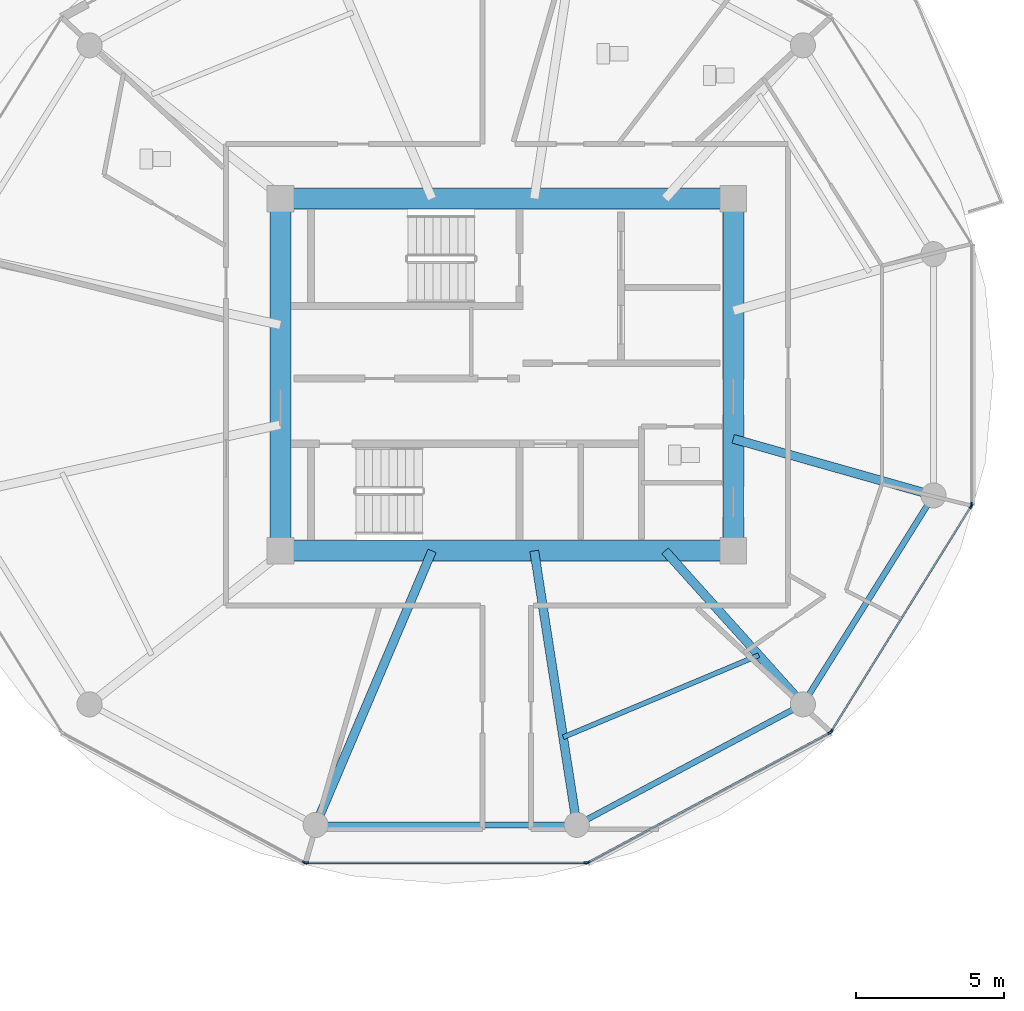
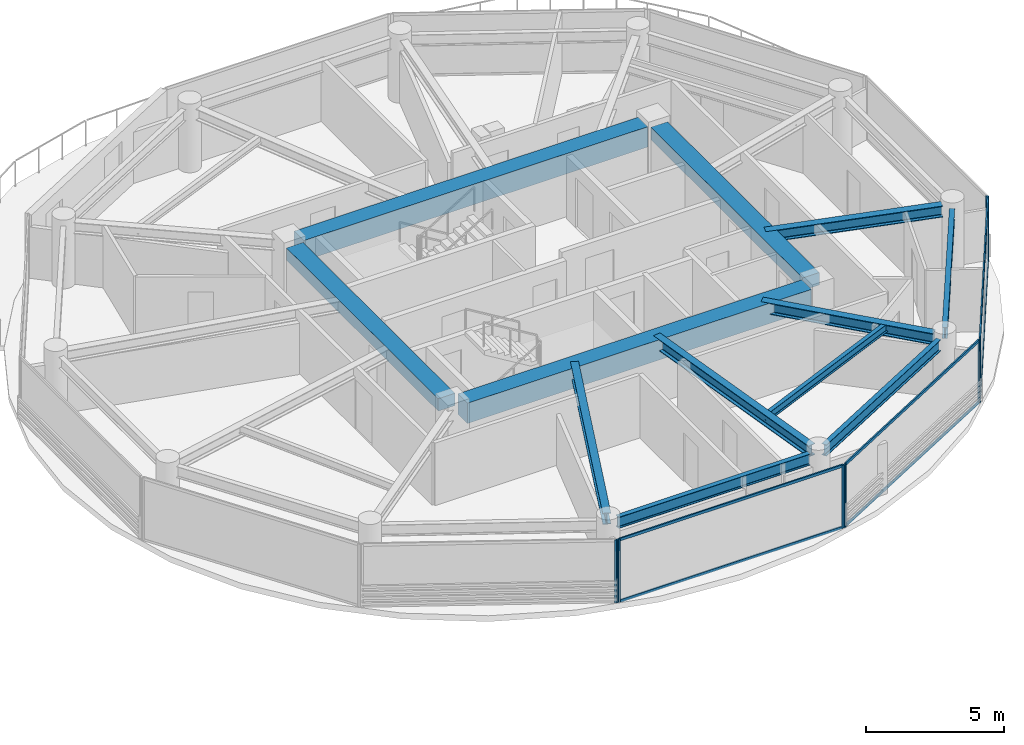
# One storey, part 10 of 24: 14 members, 12 beams, 5 elements without a shape of their own.
"""IFC4 building model written with IfcOpenShell, lengths in metres."""

import ifcopenshell
import ifcopenshell.guid

model = None  # the IFC model being written
_history = None  # IfcOwnerHistory: only IFC2X3 demands one
_inside = {}  # id of a spatial element -> (the spatial element, [elements in it])
_under = {}  # id of a project, library or spatial element -> (it, [spatial elements below it])
_declared = {}  # id of a project -> (the project, [libraries it declares])
_typed = {}  # id of a type object -> (the type object, [elements of that type])
_made_of = {}  # id of a material, layer set ... -> (it, [elements and type objects made of it])


def new_model(schema):
    """Start an empty IFC model of exactly this schema.

    Asked for "IFC4X3", IfcOpenShell would pick the latest addendum, in which some entities
    have other attributes; the version numbers below select the first issue.
    IFC2X3 requires an IfcOwnerHistory on every rooted entity: one is made here for all.
    """
    global model, _history
    if schema == "IFC4X3":
        model = ifcopenshell.file(schema_version=(4, 3, 0, 0))
    else:
        model = ifcopenshell.file(schema=schema)
    _inside.clear()
    _under.clear()
    _declared.clear()
    _typed.clear()
    _made_of.clear()
    _history = None
    if model.schema == "IFC2X3":
        org = make("IfcOrganization", Name="unknown")
        user = make(
            "IfcPersonAndOrganization",
            ThePerson=make("IfcPerson", FamilyName="unknown"),
            TheOrganization=org,
        )
        app = make(
            "IfcApplication",
            ApplicationDeveloper=org,
            Version="unknown",
            ApplicationFullName="unknown",
            ApplicationIdentifier="unknown",
        )
        _history = make(
            "IfcOwnerHistory",
            OwningUser=user,
            OwningApplication=app,
            ChangeAction="ADDED",
            CreationDate=0,
        )
    return model


def make(cls, **values):
    """One entity of the class cls with the attributes given. An attribute that is None is left unset."""
    return model.create_entity(
        cls, **{name: value for name, value in values.items() if value is not None}
    )


def rooted(cls, **values):
    """An entity with a GlobalId (a new one), such as an element, a storey or a relation."""
    return make(cls, GlobalId=ifcopenshell.guid.new(), OwnerHistory=_history, **values)


def si_unit(unit_type, name, prefix=None):
    """IfcSIUnit, for example si_unit("LENGTHUNIT", "METRE", prefix="MILLI")."""
    return make("IfcSIUnit", UnitType=unit_type, Prefix=prefix, Name=name)


def assignment(units):
    """IfcUnitAssignment: the units of a project."""
    return None if units is None else make("IfcUnitAssignment", Units=units)


def point(xyz):
    """IfcCartesianPoint."""
    return None if xyz is None else make("IfcCartesianPoint", Coordinates=xyz)


def direction(xyz):
    """IfcDirection."""
    return None if xyz is None else make("IfcDirection", DirectionRatios=xyz)


def frame(location, z_axis=None, x_axis=None):
    """IfcAxis2Placement3D, a coordinate frame: its origin and axes. An axis left out is left unset."""
    return make(
        "IfcAxis2Placement3D",
        Location=point(location),
        Axis=direction(z_axis),
        RefDirection=direction(x_axis),
    )


def frame_2d(location, x_axis=None):
    """IfcAxis2Placement2D, a coordinate frame in the plane: its origin and x axis."""
    return make(
        "IfcAxis2Placement2D", Location=point(location), RefDirection=direction(x_axis)
    )


def origin():
    """The frame at (0, 0, 0) with its axes left unset."""
    return frame((0.0, 0.0, 0.0))


def origin_2d():
    """The frame at (0, 0) in the plane with its x axis left unset."""
    return frame_2d((0.0, 0.0))


def place(relative_to, where):
    """IfcLocalPlacement: puts the frame where relative to a parent placement (None: the world)."""
    return make(
        "IfcLocalPlacement", PlacementRelTo=relative_to, RelativePlacement=where
    )


def context(
    kind, dimensions, precision=None, world=None, true_north=None, identifier=None
):
    """IfcGeometricRepresentationContext, for example the 3D "Model" context."""
    return make(
        "IfcGeometricRepresentationContext",
        ContextIdentifier=identifier,
        ContextType=kind,
        CoordinateSpaceDimension=dimensions,
        Precision=precision,
        WorldCoordinateSystem=world,
        TrueNorth=true_north,
    )


def subcontext(parent, identifier, kind, view, scale=None):
    """IfcGeometricRepresentationSubContext, for example "Body" below "Model"."""
    return make(
        "IfcGeometricRepresentationSubContext",
        ContextIdentifier=identifier,
        ContextType=kind,
        ParentContext=parent,
        TargetScale=scale,
        TargetView=view,
    )


def project(units=None, contexts=None):
    """IfcProject with its units and contexts."""
    return rooted(
        "IfcProject",
        Name="project",
        RepresentationContexts=contexts,
        UnitsInContext=assignment(units),
    )


def spatial(cls, under=None, at=None, **own):
    """A site, building, storey or space (cls), placed at a placement, below another one or the project."""
    s = rooted(cls, ObjectPlacement=at, **own)
    if under is not None:
        _under.setdefault(under.id(), (under, []))[1].append(s)
    return s


def profile(cls, at=None, kind="AREA", **sizes):
    """A parametric profile (cls). Its sizes go by their IFC names, for example OverallWidth=200.0."""
    return make(cls, ProfileType=kind, Position=at, **sizes)


def rectangle(**sizes):
    """IfcRectangleProfileDef."""
    return profile("IfcRectangleProfileDef", **sizes)


def i_section(**sizes):
    """IfcIShapeProfileDef."""
    return profile("IfcIShapeProfileDef", **sizes)


def extrude(swept, where, along, depth):
    """IfcExtrudedAreaSolid: the profile swept, set in the frame where, extruded along a direction by depth."""
    return make(
        "IfcExtrudedAreaSolid",
        SweptArea=swept,
        Position=where,
        ExtrudedDirection=direction(along),
        Depth=depth,
    )


def shape(context_of_items, identifier, shape_type, items):
    """IfcShapeRepresentation: the items that make up one representation, for example the "Body"."""
    return make(
        "IfcShapeRepresentation",
        ContextOfItems=context_of_items,
        RepresentationIdentifier=identifier,
        RepresentationType=shape_type,
        Items=items,
    )


def source(mapping_origin, context_of_items, identifier, shape_type, items):
    """IfcRepresentationMap: a shape defined once, which mapped items show again and again."""
    return make(
        "IfcRepresentationMap",
        MappingOrigin=mapping_origin,
        MappedRepresentation=shape(context_of_items, identifier, shape_type, items),
    )


def transform(
    local_origin,
    x_axis=None,
    y_axis=None,
    z_axis=None,
    scale=None,
    scale2=None,
    scale3=None,
    uniform=True,
):
    """IfcCartesianTransformationOperator3D, or its non-uniform kind. x_axis, y_axis, z_axis: its Axis1, 2, 3."""
    if uniform:
        return make(
            "IfcCartesianTransformationOperator3D",
            Axis1=direction(x_axis),
            Axis2=direction(y_axis),
            LocalOrigin=point(local_origin),
            Scale=scale,
            Axis3=direction(z_axis),
        )
    return make(
        "IfcCartesianTransformationOperator3DnonUniform",
        Axis1=direction(x_axis),
        Axis2=direction(y_axis),
        LocalOrigin=point(local_origin),
        Scale=scale,
        Axis3=direction(z_axis),
        Scale2=scale2,
        Scale3=scale3,
    )


def mapped(mapping_source, mapping_target):
    """IfcMappedItem: shows the shape of a source again, moved by a transform."""
    return make(
        "IfcMappedItem", MappingSource=mapping_source, MappingTarget=mapping_target
    )


def material(Name=None, Category=None):
    """IfcMaterial."""
    return make("IfcMaterial", Name=Name, Category=Category)


def layer(
    of_material, thickness, ventilated=None, Name=None, Category=None, Priority=None
):
    """IfcMaterialLayer: one layer of a wall or slab, of a material (None: an air gap)."""
    return make(
        "IfcMaterialLayer",
        Material=of_material,
        LayerThickness=thickness,
        IsVentilated=ventilated,
        Name=Name,
        Category=Category,
        Priority=Priority,
    )


def layer_set(layers, Name=None):
    """IfcMaterialLayerSet."""
    return make("IfcMaterialLayerSet", MaterialLayers=layers, LayerSetName=Name)


def material_profile(
    of_material, cross_section, Name=None, Category=None, Priority=None
):
    """IfcMaterialProfile: a cross section and its material."""
    return make(
        "IfcMaterialProfile",
        Name=Name,
        Material=of_material,
        Profile=cross_section,
        Priority=Priority,
        Category=Category,
    )


def profile_set(profiles, Name=None, composite=None):
    """IfcMaterialProfileSet."""
    return make(
        "IfcMaterialProfileSet",
        Name=Name,
        MaterialProfiles=profiles,
        CompositeProfile=composite,
    )


def made_of(thing, what):
    """Note that an element or type object is made of a material, layer set ...; save() writes the relation."""
    if what is not None:
        _made_of.setdefault(what.id(), (what, []))[1].append(thing)
    return thing


def type_object(cls, material=None, **own):
    """A type object (cls), such as IfcWallType, which elements share."""
    return made_of(rooted(cls, **own), material)


def type_shapes(of_type, sources):
    """Give a type object the sources (RepresentationMaps) that its elements show as mapped items."""
    of_type.RepresentationMaps = sources


def element(
    cls,
    number,
    at=None,
    inside=None,
    cuts=None,
    type_object=None,
    material=None,
    context=None,
    identifier="Body",
    shape_type=None,
    held_by="IfcProductDefinitionShape",
    body=None,
    shapes=None,
    **own,
):
    """One element of the class cls, such as IfcWall. Its Tag is "e" and its number.

    at: its placement. inside: the storey or other place that contains it. cuts: it is an
    opening in that element (IfcRelVoidsElement). A single representation is given by context,
    identifier, shape_type and body (its items); several are given by shapes. held_by: the class
    of the entity that holds the representations. save() writes the other relations.
    """
    e = rooted(cls, Tag="e%d" % number, ObjectPlacement=at, **own)
    if body is not None:
        shapes = [shape(context, identifier, shape_type, body)]
    if shapes is not None:
        e.Representation = make(held_by, Representations=shapes)
    if inside is not None:
        _inside.setdefault(inside.id(), (inside, []))[1].append(e)
    if cuts is not None:
        rooted(
            "IfcRelVoidsElement", RelatingBuildingElement=cuts, RelatedOpeningElement=e
        )
    if type_object is not None:
        _typed.setdefault(type_object.id(), (type_object, []))[1].append(e)
    return made_of(e, material)


def aggregate(whole, parts):
    """IfcRelAggregates: a whole, such as a stair, and the parts it consists of."""
    return rooted("IfcRelAggregates", RelatingObject=whole, RelatedObjects=parts)


def save(model, path):
    """Write the relations noted so far, then the file.

    IfcRelAggregates (storeys below a building ...), IfcRelContainedInSpatialStructure (elements
    in a storey), IfcRelDefinesByType, IfcRelAssociatesMaterial and IfcRelDeclares: one each for
    every whole, place, type object, material and project.
    """
    for whole, parts in _under.values():
        aggregate(whole, parts)
    for where, things in _inside.values():
        rooted(
            "IfcRelContainedInSpatialStructure",
            RelatedElements=things,
            RelatingStructure=where,
        )
    for kind, things in _typed.values():
        rooted("IfcRelDefinesByType", RelatedObjects=things, RelatingType=kind)
    for what, things in _made_of.values():
        rooted("IfcRelAssociatesMaterial", RelatedObjects=things, RelatingMaterial=what)
    for by, libraries in _declared.values():
        rooted("IfcRelDeclares", RelatingContext=by, RelatedDefinitions=libraries)
    model.write(path)


model = new_model("IFC4")

# Units and contexts
model_context = context("Model", 3, precision=1e-05, world=origin(), true_north=direction((0.0, 1.0)))
body_context = subcontext(model_context, "Body", "Model", "MODEL_VIEW")
ifc_project = project(units=[si_unit("LENGTHUNIT", "METRE"), si_unit("AREAUNIT", "SQUARE_METRE"), si_unit("VOLUMEUNIT", "CUBIC_METRE"), si_unit("PLANEANGLEUNIT", "RADIAN"), si_unit("MASSUNIT", "GRAM", prefix="KILO")], contexts=[model_context])

# Site, building, storey
site_placement = place(None, origin())
site = spatial("IfcSite", under=ifc_project, at=site_placement, CompositionType="ELEMENT")
building_placement = place(site_placement, origin())
building = spatial("IfcBuilding", under=site, at=building_placement, Name="Norrkilde Senior Care Towers", CompositionType="ELEMENT")
storey_placement = place(building_placement, frame((0.0, 0.0, 114.550048828125)))
storey = spatial("IfcBuildingStorey", under=building, at=storey_placement, Name="L35", CompositionType="ELEMENT", Elevation=114.550048828125)

# Beams
ifc_material_1 = material(Name="Concrete C60/75", Category="concrete")
ifc_material_profile_1 = material_profile(ifc_material_1, rectangle(XDim=0.699951171875, YDim=0.89990234375, at=origin_2d()), Name="RC BM 700x900")
ifc_profile_set_1 = profile_set([ifc_material_profile_1], Name="Concrete C60/75")
beam_type_1 = type_object("IfcBeamType", Name="Core Coupling Girder 700x900", PredefinedType="USERDEFINED", material=ifc_profile_set_1)
shared_shape_1 = source(origin(), body_context, "Body", "SweptSolid", [
    extrude(rectangle(XDim=0.699951171875, YDim=0.89990234375, at=origin_2d()), origin(), (0.0, 0.0, 1.0), 14.43994140625),
])
type_shapes(beam_type_1, [shared_shape_1])
for number, where, z_axis, x_axis, name in (
    (1, (20.780029296875, 5.949951171875, 2.33984375), (1.0, 0.0, 0.0), (0.0, 1.0, 0.0), "L35 Core E N Coupling Girder"),
    (2, (20.780029296875, -5.949951171875, 2.33984375), (1.0, 0.0, 0.0), (0.0, 1.0, 0.0), "L35 Core E S Coupling Girder"),
):
    element("IfcBeam", number, at=place(storey_placement, frame(where, z_axis=z_axis, x_axis=x_axis)), inside=storey, type_object=beam_type_1, Name=name, ObjectType="GIRDER", PredefinedType="USERDEFINED", context=body_context, shape_type="MappedRepresentation", body=[
        mapped(shared_shape_1, transform((0.0, 0.0, 0.0), x_axis=(1.0, 0.0, 0.0), y_axis=(0.0, 1.0, 0.0), z_axis=(0.0, 0.0, 1.0), scale=1.0)),
    ])
ifc_material_profile_2 = material_profile(ifc_material_1, rectangle(XDim=0.699951171875, YDim=0.550048828125, at=origin_2d()), Name="RC BM 700x550")
ifc_profile_set_2 = profile_set([ifc_material_profile_2], Name="Concrete C60/75")
beam_type_2 = type_object("IfcBeamType", Name="Core Portal Coupling Beam 700x550", PredefinedType="USERDEFINED", material=ifc_profile_set_2)
shared_shape_2 = source(origin(), body_context, "Body", "SweptSolid", [
    extrude(rectangle(XDim=0.699951171875, YDim=0.550048828125, at=origin_2d()), origin(), (0.0, 0.0, 1.0), 11.0400390625),
])
type_shapes(beam_type_2, [shared_shape_2])
for number, where, z_axis, x_axis, name in (
    (3, (20.35009765625, -5.52001953125, 2.514892578125), (0.0, 1.0, 0.0), (-1.0, 0.0, 0.0), "L35 Core E W Coupling Girder"),
    (4, (35.64990234375, -5.52001953125, 2.514892578125), (0.0, 1.0, 0.0), (-1.0, 0.0, 0.0), "L35 Core E E Coupling Girder"),
):
    element("IfcBeam", number, at=place(storey_placement, frame(where, z_axis=z_axis, x_axis=x_axis)), inside=storey, type_object=beam_type_2, Name=name, ObjectType="GIRDER", PredefinedType="USERDEFINED", context=body_context, shape_type="MappedRepresentation", body=[
        mapped(shared_shape_2, transform((0.0, 0.0, 0.0), x_axis=(1.0, 0.0, 0.0), y_axis=(0.0, 1.0, 0.0), z_axis=(0.0, 0.0, 1.0), scale=1.0)),
    ])
ifc_material_2 = material(Name="Steel S355", Category="steel")
ifc_material_profile_3 = material_profile(ifc_material_2, i_section(OverallWidth=0.199951171875, OverallDepth=0.5, WebThickness=0.01025390625, FlangeThickness=0.01611328125, FilletRadius=0.02099609375, at=origin_2d()), Name="IPE 500")
ifc_profile_set_3 = profile_set([ifc_material_profile_3], Name="Steel S355")
beam_type_3 = type_object("IfcBeamType", Name="Perimeter Ring Spandrel Z2 IPE500", PredefinedType="SPANDREL", material=ifc_profile_set_3)
shared_shape_3 = source(origin(), body_context, "Body", "SweptSolid", [
    extrude(i_section(OverallWidth=0.199951171875, OverallDepth=0.5, WebThickness=0.01025390625, FlangeThickness=0.01611328125, FilletRadius=0.02099609375, at=origin_2d()), origin(), (0.0, 0.0, 1.0), 7.892333984375),
])
beam_1_placement = place(storey_placement, frame((30.70263671875, -15.0322265625, 2.5400390625), z_axis=(0.882350372282, 0.47059305194, 0.0), x_axis=(-0.47059305194, 0.882350372282, 0.0)))
element("IfcBeam", 5, at=beam_1_placement, inside=storey, type_object=beam_type_3, Name="L35 Drum E Perimeter Spandrel 10", PredefinedType="SPANDREL", context=body_context, shape_type="MappedRepresentation", body=[
    mapped(shared_shape_3, transform((0.0, 0.0, 0.0), x_axis=(1.0, 0.0, 0.0), y_axis=(0.0, 1.0, 0.0), z_axis=(0.0, 0.0, 1.0), scale=1.0)),
])
shared_shape_4 = source(origin(), body_context, "Body", "SweptSolid", [
    extrude(i_section(OverallWidth=0.199951171875, OverallDepth=0.5, WebThickness=0.01025390625, FlangeThickness=0.01611328125, FilletRadius=0.02099609375, at=origin_2d()), origin(), (0.0, 0.0, 1.0), 8.0556640625),
])
beam_2_placement = place(storey_placement, frame((21.922119140625, -15.21337890625, 2.5400390625), z_axis=(1.0, 0.0, 0.0), x_axis=(0.0, 1.0, 0.0)))
element("IfcBeam", 6, at=beam_2_placement, inside=storey, type_object=beam_type_3, Name="L35 Drum E Perimeter Spandrel 09", PredefinedType="SPANDREL", context=body_context, shape_type="MappedRepresentation", body=[
    mapped(shared_shape_4, transform((0.0, 0.0, 0.0), x_axis=(1.0, 0.0, 0.0), y_axis=(0.0, 1.0, 0.0), z_axis=(0.0, 0.0, 1.0), scale=1.0)),
])
ifc_material_profile_4 = material_profile(ifc_material_2, i_section(OverallWidth=0.300048828125, OverallDepth=0.5, WebThickness=0.014404296875, FlangeThickness=0.028076171875, FilletRadius=0.027099609375, at=origin_2d()), Name="HEB 500")
ifc_profile_set_4 = profile_set([ifc_material_profile_4], Name="Steel S355")
beam_type_4 = type_object("IfcBeamType", Name="Radial Floor Beam Z2 HEB500", PredefinedType="BEAM", material=ifc_profile_set_4)
shared_shape_5 = source(origin(), body_context, "Body", "SweptSolid", [
    extrude(i_section(OverallWidth=0.300048828125, OverallDepth=0.5, WebThickness=0.014404296875, FlangeThickness=0.028076171875, FilletRadius=0.027099609375, at=origin_2d()), origin(), (0.0, 0.0, 1.0), 9.679443359375),
])
beam_3_placement = place(storey_placement, frame((25.472412109375, -5.949951171875, 2.5400390625), z_axis=(-0.390998033479, -0.920391513333, 0.0), x_axis=(0.920391513333, -0.390998033479, 0.0)))
element("IfcBeam", 7, at=beam_3_placement, inside=storey, type_object=beam_type_4, Name="L35 Drum E Radial Floor Beam 09", PredefinedType="BEAM", context=body_context, shape_type="MappedRepresentation", body=[
    mapped(shared_shape_5, transform((0.0, 0.0, 0.0), x_axis=(1.0, 0.0, 0.0), y_axis=(0.0, 1.0, 0.0), z_axis=(0.0, 0.0, 1.0), scale=1.0)),
])
shared_shape_6 = source(origin(), body_context, "Body", "SweptSolid", [
    extrude(i_section(OverallWidth=0.300048828125, OverallDepth=0.5, WebThickness=0.014404296875, FlangeThickness=0.028076171875, FilletRadius=0.027099609375, at=origin_2d()), origin(), (0.0, 0.0, 1.0), 8.989501953125),
])
beam_4_placement = place(storey_placement, frame((28.924072265625, -5.949951171875, 2.5400390625), z_axis=(0.153471298636, -0.988153105796, 0.0), x_axis=(0.988153105796, 0.153471298636, 0.0)))
element("IfcBeam", 8, at=beam_4_placement, inside=storey, type_object=beam_type_4, Name="L35 Drum E Radial Floor Beam 10", PredefinedType="BEAM", context=body_context, shape_type="MappedRepresentation", body=[
    mapped(shared_shape_6, transform((0.0, 0.0, 0.0), x_axis=(1.0, 0.0, 0.0), y_axis=(0.0, 1.0, 0.0), z_axis=(0.0, 0.0, 1.0), scale=1.0)),
])
shared_shape_7 = source(origin(), body_context, "Body", "SweptSolid", [
    extrude(i_section(OverallWidth=0.199951171875, OverallDepth=0.5, WebThickness=0.01025390625, FlangeThickness=0.01611328125, FilletRadius=0.02099609375, at=origin_2d()), origin(), (0.0, 0.0, 1.0), 7.556396484375),
])
type_shapes(beam_type_3, [shared_shape_3, shared_shape_4, shared_shape_7])
beam_5_placement = place(storey_placement, frame((38.210205078125, -10.810546875, 2.5400390625), z_axis=(0.530004748437, 0.847994673706, 0.0), x_axis=(-0.847994673706, 0.530004748437, 0.0)))
element("IfcBeam", 9, at=beam_5_placement, inside=storey, type_object=beam_type_3, Name="L35 Drum E Perimeter Spandrel 11", PredefinedType="SPANDREL", context=body_context, shape_type="MappedRepresentation", body=[
    mapped(shared_shape_7, transform((0.0, 0.0, 0.0), x_axis=(1.0, 0.0, 0.0), y_axis=(0.0, 1.0, 0.0), z_axis=(0.0, 0.0, 1.0), scale=1.0)),
])
shared_shape_8 = source(origin(), body_context, "Body", "SweptSolid", [
    extrude(i_section(OverallWidth=0.300048828125, OverallDepth=0.5, WebThickness=0.014404296875, FlangeThickness=0.028076171875, FilletRadius=0.027099609375, at=origin_2d()), origin(), (0.0, 0.0, 1.0), 6.587890625),
])
beam_6_placement = place(storey_placement, frame((33.345947265625, -5.949951171875, 2.5400390625), z_axis=(0.668315438605, -0.743877997068, 0.0), x_axis=(0.743877997068, 0.668315438605, 0.0)))
element("IfcBeam", 10, at=beam_6_placement, inside=storey, type_object=beam_type_4, Name="L35 Drum E Radial Floor Beam 11", PredefinedType="BEAM", context=body_context, shape_type="MappedRepresentation", body=[
    mapped(shared_shape_8, transform((0.0, 0.0, 0.0), x_axis=(1.0, 0.0, 0.0), y_axis=(0.0, 1.0, 0.0), z_axis=(0.0, 0.0, 1.0), scale=1.0)),
])
shared_shape_9 = source(origin(), body_context, "Body", "SweptSolid", [
    extrude(i_section(OverallWidth=0.300048828125, OverallDepth=0.5, WebThickness=0.014404296875, FlangeThickness=0.028076171875, FilletRadius=0.027099609375, at=origin_2d()), origin(), (0.0, 0.0, 1.0), 6.6494140625),
])
type_shapes(beam_type_4, [shared_shape_5, shared_shape_6, shared_shape_8, shared_shape_9])
beam_7_placement = place(storey_placement, frame((35.64990234375, -2.162841796875, 2.5400390625), z_axis=(0.962289138357, -0.27202870106, 0.0), x_axis=(0.27202870106, 0.962289138357, 0.0)))
element("IfcBeam", 11, at=beam_7_placement, inside=storey, type_object=beam_type_4, Name="L35 Drum E Radial Floor Beam 12", PredefinedType="BEAM", context=body_context, shape_type="MappedRepresentation", body=[
    mapped(shared_shape_9, transform((0.0, 0.0, 0.0), x_axis=(1.0, 0.0, 0.0), y_axis=(0.0, 1.0, 0.0), z_axis=(0.0, 0.0, 1.0), scale=1.0)),
])
ifc_material_profile_5 = material_profile(ifc_material_2, i_section(OverallWidth=0.169921875, OverallDepth=0.360107421875, WebThickness=0.008056640625, FlangeThickness=0.0126953125, FilletRadius=0.01806640625, at=origin_2d()), Name="IPE 360")
ifc_profile_set_5 = profile_set([ifc_material_profile_5], Name="Steel S355")
beam_type_5 = type_object("IfcBeamType", Name="Secondary Floor Joist IPE360", PredefinedType="JOIST", material=ifc_profile_set_5)
shared_shape_10 = source(origin(), body_context, "Body", "SweptSolid", [
    extrude(i_section(OverallWidth=0.169921875, OverallDepth=0.360107421875, WebThickness=0.008056640625, FlangeThickness=0.0126953125, FilletRadius=0.01806640625, at=origin_2d()), origin(), (0.0, 0.0, 1.0), 7.169921875),
])
type_shapes(beam_type_5, [shared_shape_10])
beam_8_placement = place(storey_placement, frame((29.902587890625, -12.2490234375, 2.60986328125), z_axis=(0.922240600393, 0.386616444279, 0.0), x_axis=(-0.386616444279, 0.922240600393, 0.0)))
element("IfcBeam", 12, at=beam_8_placement, inside=storey, type_object=beam_type_5, Name="L35 Drum E Secondary Floor Joist 4", PredefinedType="JOIST", context=body_context, shape_type="MappedRepresentation", body=[
    mapped(shared_shape_10, transform((0.0, 0.0, 0.0), x_axis=(1.0, 0.0, 0.0), y_axis=(0.0, 1.0, 0.0), z_axis=(0.0, 0.0, 1.0), scale=1.0)),
])

# Curtain wall, member
ifc_material_3 = material(Name="Triple Low-E Insulated Glazing", Category="glass")
ifc_layer = layer(ifc_material_3, 0.195068359375)
ifc_layer_set = layer_set([ifc_layer], Name="Triple Low-E Insulated Glazing")
curtain_wall_type = type_object("IfcCurtainWallType", Name="CW3 Zone 2 Assisted Living Curtain Wall", PredefinedType="NOTDEFINED", material=ifc_layer_set)
curtain_wall_1_placement = place(storey_placement, origin())
curtain_wall_1 = element("IfcCurtainWall", 13, at=curtain_wall_1_placement, inside=storey, type_object=curtain_wall_type, Name="L35 Drum E Curtain Wall 07", PredefinedType="NOTDEFINED")
ifc_material_4 = material(Name="Anodised Aluminium", Category="aluminium")
ifc_material_profile_6 = material_profile(ifc_material_4, rectangle(XDim=0.06494140625, YDim=0.159912109375, at=origin_2d()), Name="ALU MULL 65x160")
ifc_profile_set_6 = profile_set([ifc_material_profile_6], Name="Anodised Aluminium")
member_type_1 = type_object("IfcMemberType", Name="Curtain Wall Mullion Z1-Z2 65x160", PredefinedType="MULLION", material=ifc_profile_set_6)
shared_shape_11 = source(origin(), body_context, "Body", "SweptSolid", [
    extrude(rectangle(XDim=0.06494140625, YDim=0.159912109375, at=origin_2d()), origin(), (0.0, 0.0, 1.0), 2.7900390625),
])
type_shapes(member_type_1, [shared_shape_11])
member_1_placement = place(storey_placement, frame((21.164306640625, -16.482666015625, 0.0), z_axis=(0.0, 0.0, 1.0), x_axis=(-0.472769402511, -0.881186184668, 0.0)))
member_1 = element("IfcMember", 14, at=member_1_placement, type_object=member_type_1, Name="CW-3 mullion 1", PredefinedType="MULLION", context=body_context, shape_type="MappedRepresentation", body=[
    mapped(shared_shape_11, transform((0.0, 0.0, 0.0), x_axis=(1.0, 0.0, 0.0), y_axis=(0.0, 1.0, 0.0), z_axis=(0.0, 0.0, 1.0), scale=1.0)),
])
aggregate(curtain_wall_1, [member_1])

# Curtain wall, members
curtain_wall_2_placement = place(storey_placement, origin())
curtain_wall_2 = element("IfcCurtainWall", 15, at=curtain_wall_2_placement, inside=storey, type_object=curtain_wall_type, Name="L35 Drum E Curtain Wall 08", PredefinedType="NOTDEFINED")
member_2_placement = place(storey_placement, frame((30.674560546875, -16.498046875, 0.0), z_axis=(0.0, 0.0, 1.0), x_axis=(0.0, -1.0, 0.0)))
member_2 = element("IfcMember", 16, at=member_2_placement, type_object=member_type_1, Name="CW-3 mullion 1", PredefinedType="MULLION", context=body_context, shape_type="MappedRepresentation", body=[
    mapped(shared_shape_11, transform((0.0, 0.0, 0.0), x_axis=(1.0, 0.0, 0.0), y_axis=(0.0, 1.0, 0.0), z_axis=(0.0, 0.0, 1.0), scale=1.0)),
])
member_3_placement = place(storey_placement, frame((21.225341796875, -16.498046875, 0.0), z_axis=(0.0, 0.0, 1.0), x_axis=(0.0, -1.0, 0.0)))
member_3 = element("IfcMember", 17, at=member_3_placement, type_object=member_type_1, Name="CW-3 mullion 2", PredefinedType="MULLION", context=body_context, shape_type="MappedRepresentation", body=[
    mapped(shared_shape_11, transform((0.0, 0.0, 0.0), x_axis=(1.0, 0.0, 0.0), y_axis=(0.0, 1.0, 0.0), z_axis=(0.0, 0.0, 1.0), scale=1.0)),
])

curtain_wall_3_placement = place(storey_placement, origin())
curtain_wall_3 = element("IfcCurtainWall", 18, at=curtain_wall_3_placement, inside=storey, type_object=curtain_wall_type, Name="L35 Drum E Curtain Wall 09", PredefinedType="NOTDEFINED")
member_4_placement = place(storey_placement, frame((38.91796875, -12.0927734375, 0.0), z_axis=(0.0, 0.0, 1.0), x_axis=(0.472769402511, -0.881186184668, 0.0)))
member_4 = element("IfcMember", 19, at=member_4_placement, type_object=member_type_1, Name="CW-3 mullion 1", PredefinedType="MULLION", context=body_context, shape_type="MappedRepresentation", body=[
    mapped(shared_shape_11, transform((0.0, 0.0, 0.0), x_axis=(1.0, 0.0, 0.0), y_axis=(0.0, 1.0, 0.0), z_axis=(0.0, 0.0, 1.0), scale=1.0)),
])
member_5_placement = place(storey_placement, frame((30.73583984375, -16.482666015625, 0.0), z_axis=(0.0, 0.0, 1.0), x_axis=(0.472769402511, -0.881186184668, 0.0)))
member_5 = element("IfcMember", 20, at=member_5_placement, type_object=member_type_1, Name="CW-3 mullion 2", PredefinedType="MULLION", context=body_context, shape_type="MappedRepresentation", body=[
    mapped(shared_shape_11, transform((0.0, 0.0, 0.0), x_axis=(1.0, 0.0, 0.0), y_axis=(0.0, 1.0, 0.0), z_axis=(0.0, 0.0, 1.0), scale=1.0)),
])

curtain_wall_4_placement = place(storey_placement, origin())
curtain_wall_4 = element("IfcCurtainWall", 21, at=curtain_wall_4_placement, inside=storey, type_object=curtain_wall_type, Name="L35 Drum E Curtain Wall 10", PredefinedType="NOTDEFINED")
member_6_placement = place(storey_placement, frame((43.6865234375, -4.4482421875, 0.0), z_axis=(0.0, 0.0, 1.0), x_axis=(0.849410171862, -0.527733228002, 0.0)))
member_6 = element("IfcMember", 22, at=member_6_placement, type_object=member_type_1, Name="CW-3 mullion 1", PredefinedType="MULLION", context=body_context, shape_type="MappedRepresentation", body=[
    mapped(shared_shape_11, transform((0.0, 0.0, 0.0), x_axis=(1.0, 0.0, 0.0), y_axis=(0.0, 1.0, 0.0), z_axis=(0.0, 0.0, 1.0), scale=1.0)),
])
member_7_placement = place(storey_placement, frame((38.9638671875, -12.0498046875, 0.0), z_axis=(0.0, 0.0, 1.0), x_axis=(0.849410171862, -0.527733228002, 0.0)))
member_7 = element("IfcMember", 23, at=member_7_placement, type_object=member_type_1, Name="CW-3 mullion 2", PredefinedType="MULLION", context=body_context, shape_type="MappedRepresentation", body=[
    mapped(shared_shape_11, transform((0.0, 0.0, 0.0), x_axis=(1.0, 0.0, 0.0), y_axis=(0.0, 1.0, 0.0), z_axis=(0.0, 0.0, 1.0), scale=1.0)),
])

# Curtain wall, member
curtain_wall_5_placement = place(storey_placement, origin())
curtain_wall_5 = element("IfcCurtainWall", 24, at=curtain_wall_5_placement, inside=storey, type_object=curtain_wall_type, Name="L35 Drum E Curtain Wall 11", PredefinedType="NOTDEFINED")
member_8_placement = place(storey_placement, frame((43.70361328125, -4.38818359375, 0.0), z_axis=(0.0, 0.0, 1.0), x_axis=(1.0, 0.0, 0.0)))
member_8 = element("IfcMember", 25, at=member_8_placement, type_object=member_type_1, Name="CW-3 mullion 2", PredefinedType="MULLION", context=body_context, shape_type="MappedRepresentation", body=[
    mapped(shared_shape_11, transform((0.0, 0.0, 0.0), x_axis=(1.0, 0.0, 0.0), y_axis=(0.0, 1.0, 0.0), z_axis=(0.0, 0.0, 1.0), scale=1.0)),
])
aggregate(curtain_wall_5, [member_8])

# Member
ifc_material_profile_7 = material_profile(ifc_material_4, rectangle(XDim=0.06005859375, YDim=0.1201171875, at=origin_2d()), Name="ALU TRAN 60x120")
ifc_profile_set_7 = profile_set([ifc_material_profile_7], Name="Anodised Aluminium")
member_type_2 = type_object("IfcMemberType", Name="Curtain Wall Transom Typical 60x120", PredefinedType="USERDEFINED", material=ifc_profile_set_7)
shared_shape_12 = source(origin(), body_context, "Body", "SweptSolid", [
    extrude(rectangle(XDim=0.06005859375, YDim=0.1201171875, at=origin_2d()), origin(), (0.0, 0.0, 1.0), 8.88427734375),
])
member_9_placement = place(storey_placement, frame((43.66943359375, -4.475830078125, 0.030029296875), z_axis=(-0.527729466743, -0.849412508697, 0.0), x_axis=(0.849412508697, -0.527729466743, 0.0)))
member_9 = element("IfcMember", 26, at=member_9_placement, type_object=member_type_2, Name="CW-3 transom 1.1", ObjectType="TRANSOM", PredefinedType="USERDEFINED", context=body_context, shape_type="MappedRepresentation", body=[
    mapped(shared_shape_12, transform((0.0, 0.0, 0.0), x_axis=(1.0, 0.0, 0.0), y_axis=(0.0, 1.0, 0.0), z_axis=(0.0, 0.0, 1.0), scale=1.0)),
])

member_10_placement = place(storey_placement, frame((43.66943359375, -4.475830078125, 2.760009765625), z_axis=(-0.527729466743, -0.849412508697, 0.0), x_axis=(0.849412508697, -0.527729466743, 0.0)))
member_10 = element("IfcMember", 27, at=member_10_placement, type_object=member_type_2, Name="CW-3 transom 1.2", ObjectType="TRANSOM", PredefinedType="USERDEFINED", context=body_context, shape_type="MappedRepresentation", body=[
    mapped(shared_shape_12, transform((0.0, 0.0, 0.0), x_axis=(1.0, 0.0, 0.0), y_axis=(0.0, 1.0, 0.0), z_axis=(0.0, 0.0, 1.0), scale=1.0)),
])

aggregate(curtain_wall_4, [member_6, member_7, member_9, member_10])

shared_shape_13 = source(origin(), body_context, "Body", "SweptSolid", [
    extrude(rectangle(XDim=0.06005859375, YDim=0.1201171875, at=origin_2d()), origin(), (0.0, 0.0, 1.0), 9.220458984375),
])
member_11_placement = place(storey_placement, frame((38.889404296875, -12.108154296875, 0.030029296875), z_axis=(-0.881188517866, -0.472765053681, 0.0), x_axis=(0.472765053681, -0.881188517866, 0.0)))
member_11 = element("IfcMember", 28, at=member_11_placement, type_object=member_type_2, Name="CW-3 transom 1.1", ObjectType="TRANSOM", PredefinedType="USERDEFINED", context=body_context, shape_type="MappedRepresentation", body=[
    mapped(shared_shape_13, transform((0.0, 0.0, 0.0), x_axis=(1.0, 0.0, 0.0), y_axis=(0.0, 1.0, 0.0), z_axis=(0.0, 0.0, 1.0), scale=1.0)),
])

member_12_placement = place(storey_placement, frame((38.889404296875, -12.108154296875, 2.760009765625), z_axis=(-0.881188517866, -0.472765053681, 0.0), x_axis=(0.472765053681, -0.881188517866, 0.0)))
member_12 = element("IfcMember", 29, at=member_12_placement, type_object=member_type_2, Name="CW-3 transom 1.2", ObjectType="TRANSOM", PredefinedType="USERDEFINED", context=body_context, shape_type="MappedRepresentation", body=[
    mapped(shared_shape_13, transform((0.0, 0.0, 0.0), x_axis=(1.0, 0.0, 0.0), y_axis=(0.0, 1.0, 0.0), z_axis=(0.0, 0.0, 1.0), scale=1.0)),
])

aggregate(curtain_wall_3, [member_4, member_5, member_11, member_12])

shared_shape_14 = source(origin(), body_context, "Body", "SweptSolid", [
    extrude(rectangle(XDim=0.06005859375, YDim=0.1201171875, at=origin_2d()), origin(), (0.0, 0.0, 1.0), 9.38427734375),
])
type_shapes(member_type_2, [shared_shape_12, shared_shape_13, shared_shape_14])
member_13_placement = place(storey_placement, frame((30.64208984375, -16.498046875, 0.030029296875), z_axis=(-1.0, 0.0, 0.0), x_axis=(0.0, -1.0, 0.0)))
member_13 = element("IfcMember", 30, at=member_13_placement, type_object=member_type_2, Name="CW-3 transom 1.1", ObjectType="TRANSOM", PredefinedType="USERDEFINED", context=body_context, shape_type="MappedRepresentation", body=[
    mapped(shared_shape_14, transform((0.0, 0.0, 0.0), x_axis=(1.0, 0.0, 0.0), y_axis=(0.0, 1.0, 0.0), z_axis=(0.0, 0.0, 1.0), scale=1.0)),
])

member_14_placement = place(storey_placement, frame((30.64208984375, -16.498046875, 2.760009765625), z_axis=(-1.0, 0.0, 0.0), x_axis=(0.0, -1.0, 0.0)))
member_14 = element("IfcMember", 31, at=member_14_placement, type_object=member_type_2, Name="CW-3 transom 1.2", ObjectType="TRANSOM", PredefinedType="USERDEFINED", context=body_context, shape_type="MappedRepresentation", body=[
    mapped(shared_shape_14, transform((0.0, 0.0, 0.0), x_axis=(1.0, 0.0, 0.0), y_axis=(0.0, 1.0, 0.0), z_axis=(0.0, 0.0, 1.0), scale=1.0)),
])

aggregate(curtain_wall_2, [member_2, member_3, member_13, member_14])

save(model, "model.ifc")
